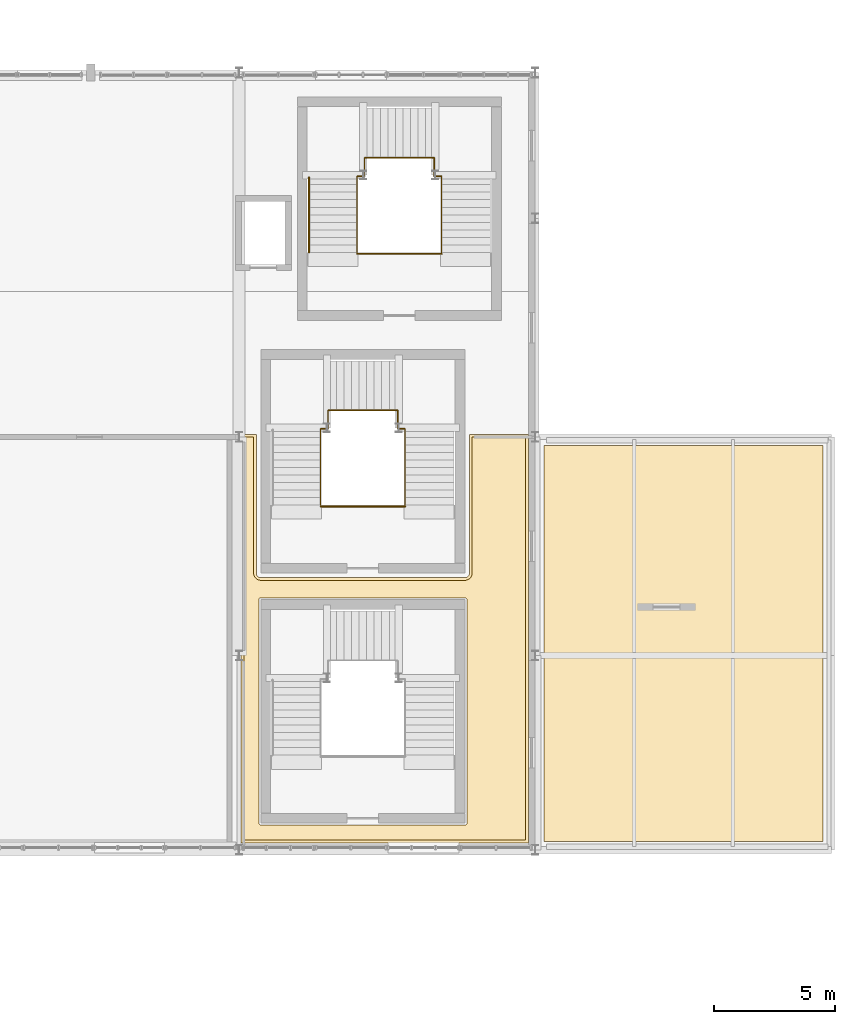
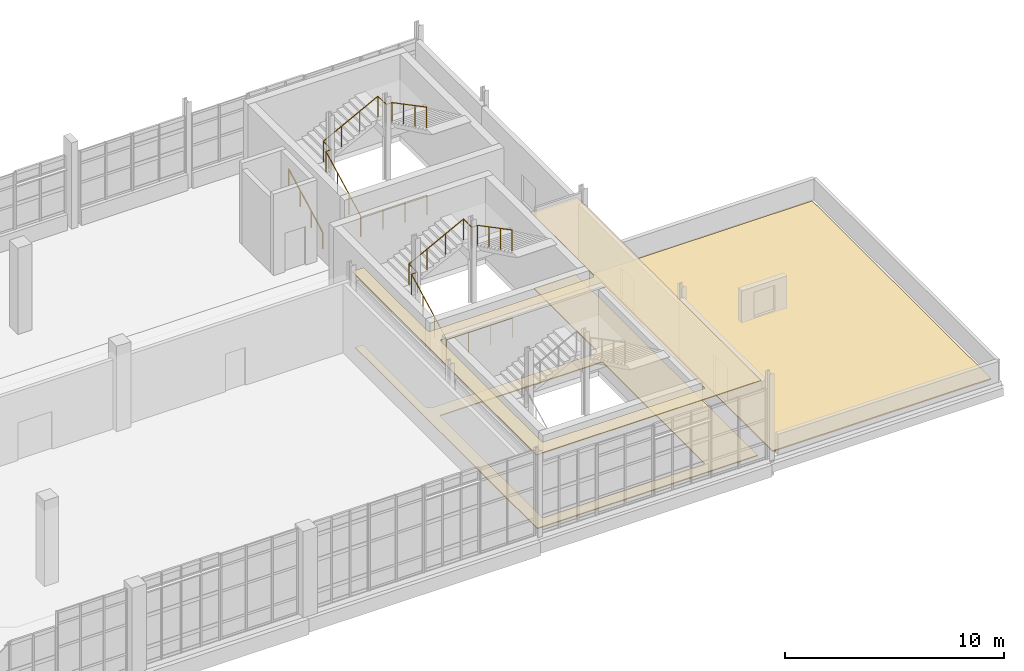
# One storey, part 127 of 127: 5 railings, 3 coverings.
"""IFC4 building model written with IfcOpenShell, lengths in metres."""

from ifc_helpers import new_model, si_unit, derived_unit, direction, frame, origin, origin_2d, place, context, subcontext, project, spatial, polyline, circle, outline, extrude, material, layer, layer_set, type_object, element, save


model = new_model("IFC4")

# Units and contexts
model_context = context("Model", 3, precision=1e-05, world=origin(), true_north=direction((0.0, 1.0)))
body_context = subcontext(model_context, "Body", "Model", "MODEL_VIEW")
ifc_project = project(units=[si_unit("LENGTHUNIT", "METRE"), si_unit("AREAUNIT", "SQUARE_METRE"), si_unit("VOLUMEUNIT", "CUBIC_METRE"), si_unit("PLANEANGLEUNIT", "RADIAN"), si_unit("MASSUNIT", "GRAM", prefix="KILO"), derived_unit("THERMALTRANSMITTANCEUNIT", [(si_unit("POWERUNIT", "WATT"), 1), (si_unit("LENGTHUNIT", "METRE"), -2), (si_unit("THERMODYNAMICTEMPERATUREUNIT", "KELVIN"), -1)])], contexts=[model_context])

# Site, building, storey
site_placement = place(None, origin())
site = spatial("IfcSite", under=ifc_project, at=site_placement, CompositionType="ELEMENT")
building_placement = place(site_placement, origin())
building = spatial("IfcBuilding", under=site, at=building_placement, Name="Nallur Shell Playhouse", CompositionType="ELEMENT")
storey_placement = place(building_placement, frame((0.0, 0.0, 5.39990234375)))
storey = spatial("IfcBuildingStorey", under=building, at=storey_placement, Name="L02", CompositionType="ELEMENT", Elevation=5.39990234375)

# Coverings
ifc_material_1 = material(Name="Micro-Perforated Teak Veneer Acoustic Baffle Ceiling")
ifc_layer_1 = layer(ifc_material_1, 0.044921875)
ifc_layer_set_1 = layer_set([ifc_layer_1], Name="Micro-Perforated Teak Veneer Acoustic Baffle Ceiling")
covering_type_1 = type_object("IfcCoveringType", Name="CV-CEIL-AC1", PredefinedType="CEILING", material=ifc_layer_set_1)
covering_1_placement = place(storey_placement, frame((0.0, 0.0, 4.205078125)))
element("IfcCovering", 1, at=covering_1_placement, inside=storey, type_object=covering_type_1, Name="Theatre Education Seminar Room suspended acoustic ceiling", PredefinedType="CEILING", context=body_context, shape_type="SweptSolid", body=[
    extrude(outline(polyline([(148.314208984375, 35.36083984375), (148.3173828125, 35.347412109375), (148.31884765625, 35.34326171875), (148.323974609375, 35.3291015625), (148.325439453125, 35.324951171875), (148.33154296875, 35.312255859375), (148.33349609375, 35.308349609375), (148.3408203125, 35.29638671875), (148.34326171875, 35.292724609375), (148.351806640625, 35.28125), (148.354736328125, 35.277587890625), (148.3642578125, 35.26708984375), (148.3671875, 35.26416015625), (148.377685546875, 35.2548828125), (148.38134765625, 35.251953125), (148.392822265625, 35.2431640625), (148.396484375, 35.24072265625), (148.408447265625, 35.233642578125), (148.412353515625, 35.231689453125), (148.425048828125, 35.2255859375), (148.428955078125, 35.223876953125), (148.443115234375, 35.218994140625), (148.447509765625, 35.217529296875), (148.460693359375, 35.214111328125), (148.465087890625, 35.21337890625), (148.47900390625, 35.211181640625), (148.4833984375, 35.210693359375), (148.4990234375, 35.2099609375), (148.501220703125, 35.2099609375), (156.89892578125, 35.2099609375), (156.90087890625, 35.2099609375), (156.916748046875, 35.210693359375), (156.921142578125, 35.211181640625), (156.934814453125, 35.21337890625), (156.939208984375, 35.214111328125), (156.95263671875, 35.217529296875), (156.956787109375, 35.218994140625), (156.970947265625, 35.223876953125), (156.97509765625, 35.2255859375), (156.98779296875, 35.231689453125), (156.99169921875, 35.233642578125), (157.00341796875, 35.24072265625), (157.007080078125, 35.2431640625), (157.018798828125, 35.251953125), (157.022216796875, 35.2548828125), (157.03271484375, 35.26416015625), (157.035888671875, 35.26708984375), (157.045166015625, 35.277587890625), (157.048095703125, 35.28125), (157.056884765625, 35.292724609375), (157.05908203125, 35.29638671875), (157.06640625, 35.308349609375), (157.068359375, 35.312255859375), (157.074462890625, 35.324951171875), (157.076171875, 35.3291015625), (157.0810546875, 35.34326171875), (157.08251953125, 35.347412109375), (157.085693359375, 35.36083984375), (157.086669921875, 35.364990234375), (157.088623046875, 35.37890625), (157.089111328125, 35.38330078125), (157.090087890625, 35.39892578125), (157.090087890625, 35.401123046875), (157.090087890625, 41.110107421875), (159.510009765625, 41.110107421875), (159.510009765625, 24.2900390625), (147.68994140625, 24.2900390625), (147.68994140625, 41.110107421875), (148.31005859375, 41.110107421875), (148.31005859375, 35.401123046875), (148.31005859375, 35.39892578125), (148.310791015625, 35.38330078125), (148.311279296875, 35.37890625), (148.313232421875, 35.364990234375), (148.314208984375, 35.36083984375)]), holes=[polyline([(156.91552734375, 25.021484375), (156.923095703125, 25.0234375), (156.9306640625, 25.026123046875), (156.937744140625, 25.029296875), (156.9443359375, 25.033447265625), (156.95068359375, 25.0380859375), (156.95654296875, 25.04345703125), (156.9619140625, 25.04931640625), (156.966552734375, 25.0556640625), (156.970703125, 25.062255859375), (156.973876953125, 25.0693359375), (156.9765625, 25.076904296875), (156.978515625, 25.08447265625), (156.9794921875, 25.09228515625), (156.97998046875, 25.10009765625), (156.97998046875, 34.300048828125), (156.9794921875, 34.307861328125), (156.978515625, 34.315673828125), (156.9765625, 34.3232421875), (156.973876953125, 34.33056640625), (156.970703125, 34.337646484375), (156.966552734375, 34.344482421875), (156.9619140625, 34.350830078125), (156.95654296875, 34.356689453125), (156.95068359375, 34.36181640625), (156.9443359375, 34.366455078125), (156.937744140625, 34.37060546875), (156.9306640625, 34.373779296875), (156.923095703125, 34.376708984375), (156.91552734375, 34.37841796875), (156.90771484375, 34.379638671875), (156.89990234375, 34.3798828125), (148.5, 34.3798828125), (148.4921875, 34.379638671875), (148.484375, 34.37841796875), (148.476806640625, 34.376708984375), (148.469482421875, 34.373779296875), (148.46240234375, 34.37060546875), (148.45556640625, 34.366455078125), (148.44921875, 34.36181640625), (148.443359375, 34.356689453125), (148.438232421875, 34.350830078125), (148.43359375, 34.344482421875), (148.429443359375, 34.337646484375), (148.426025390625, 34.33056640625), (148.42333984375, 34.3232421875), (148.42138671875, 34.315673828125), (148.42041015625, 34.307861328125), (148.419921875, 34.300048828125), (148.419921875, 25.10009765625), (148.42041015625, 25.09228515625), (148.42138671875, 25.08447265625), (148.42333984375, 25.076904296875), (148.426025390625, 25.0693359375), (148.429443359375, 25.062255859375), (148.43359375, 25.0556640625), (148.438232421875, 25.04931640625), (148.443359375, 25.04345703125), (148.44921875, 25.0380859375), (148.45556640625, 25.033447265625), (148.46240234375, 25.029296875), (148.469482421875, 25.026123046875), (148.476806640625, 25.0234375), (148.484375, 25.021484375), (148.4921875, 25.0205078125), (148.5, 25.02001953125), (156.89990234375, 25.02001953125), (156.90771484375, 25.0205078125), (156.91552734375, 25.021484375)])]), origin(), (0.0, 0.0, 1.0), 0.044921875),
])
ifc_material_2 = material(Name="Sprung Semi-Resilient Stage & Dance Hardwood Flooring", Category="wood")
ifc_layer_2 = layer(ifc_material_2, 0.054931640625)
ifc_layer_set_2 = layer_set([ifc_layer_2], Name="Sprung Semi-Resilient Stage & Dance Hardwood Flooring")
covering_type_2 = type_object("IfcCoveringType", Name="CV-FLOR-TIMBER", PredefinedType="FLOORING", material=ifc_layer_set_2)
covering_2_placement = place(storey_placement, origin())
element("IfcCovering", 2, at=covering_2_placement, inside=storey, type_object=covering_type_2, Name="Theatre Education Seminar Room floor finish", PredefinedType="FLOORING", context=body_context, shape_type="SweptSolid", body=[
    extrude(outline(polyline([(148.206787109375, 35.336669921875), (148.211669921875, 35.317626953125), (148.214599609375, 35.308349609375), (148.22119140625, 35.289794921875), (148.224853515625, 35.28076171875), (148.233154296875, 35.262939453125), (148.23779296875, 35.25439453125), (148.247802734375, 35.237548828125), (148.25341796875, 35.229248046875), (148.26513671875, 35.213623046875), (148.271240234375, 35.2060546875), (148.284423828125, 35.19140625), (148.29150390625, 35.1845703125), (148.305908203125, 35.17138671875), (148.313720703125, 35.1650390625), (148.329345703125, 35.1533203125), (148.33740234375, 35.14794921875), (148.354248046875, 35.1376953125), (148.363037109375, 35.13330078125), (148.380615234375, 35.124755859375), (148.389892578125, 35.12109375), (148.408203125, 35.114501953125), (148.41748046875, 35.111572265625), (148.436767578125, 35.106689453125), (148.4462890625, 35.10498046875), (148.4658203125, 35.10205078125), (148.4755859375, 35.10107421875), (148.4951171875, 35.10009765625), (148.5, 35.10009765625), (156.89990234375, 35.10009765625), (156.90478515625, 35.10009765625), (156.924560546875, 35.10107421875), (156.934326171875, 35.10205078125), (156.95361328125, 35.10498046875), (156.96337890625, 35.106689453125), (156.982421875, 35.111572265625), (156.99169921875, 35.114501953125), (157.01025390625, 35.12109375), (157.019287109375, 35.124755859375), (157.037109375, 35.13330078125), (157.045654296875, 35.1376953125), (157.0625, 35.14794921875), (157.07080078125, 35.1533203125), (157.08642578125, 35.1650390625), (157.093994140625, 35.17138671875), (157.108642578125, 35.1845703125), (157.115478515625, 35.19140625), (157.128662109375, 35.2060546875), (157.135009765625, 35.213623046875), (157.146484375, 35.229248046875), (157.152099609375, 35.237548828125), (157.162109375, 35.25439453125), (157.166748046875, 35.262939453125), (157.17529296875, 35.28076171875), (157.178955078125, 35.289794921875), (157.185546875, 35.308349609375), (157.1884765625, 35.317626953125), (157.193115234375, 35.336669921875), (157.195068359375, 35.34619140625), (157.197998046875, 35.36572265625), (157.198974609375, 35.37548828125), (157.199951171875, 35.39501953125), (157.199951171875, 35.39990234375), (157.199951171875, 41.0), (159.39990234375, 41.0), (159.39990234375, 24.39990234375), (147.800048828125, 24.39990234375), (147.800048828125, 41.0), (148.199951171875, 41.0), (148.199951171875, 35.39990234375), (148.2001953125, 35.39501953125), (148.201171875, 35.37548828125), (148.201904296875, 35.36572265625), (148.204833984375, 35.34619140625), (148.206787109375, 35.336669921875)]), holes=[polyline([(156.91552734375, 25.021484375), (156.923095703125, 25.0234375), (156.9306640625, 25.026123046875), (156.937744140625, 25.029296875), (156.9443359375, 25.033447265625), (156.95068359375, 25.0380859375), (156.95654296875, 25.04345703125), (156.9619140625, 25.04931640625), (156.966552734375, 25.0556640625), (156.970703125, 25.062255859375), (156.973876953125, 25.0693359375), (156.9765625, 25.076904296875), (156.978515625, 25.08447265625), (156.9794921875, 25.09228515625), (156.97998046875, 25.10009765625), (156.97998046875, 34.300048828125), (156.9794921875, 34.307861328125), (156.978515625, 34.315673828125), (156.9765625, 34.3232421875), (156.973876953125, 34.33056640625), (156.970703125, 34.337646484375), (156.966552734375, 34.344482421875), (156.9619140625, 34.350830078125), (156.95654296875, 34.356689453125), (156.95068359375, 34.36181640625), (156.9443359375, 34.366455078125), (156.937744140625, 34.37060546875), (156.9306640625, 34.373779296875), (156.923095703125, 34.376708984375), (156.91552734375, 34.37841796875), (156.90771484375, 34.379638671875), (156.89990234375, 34.3798828125), (148.5, 34.3798828125), (148.4921875, 34.379638671875), (148.484375, 34.37841796875), (148.476806640625, 34.376708984375), (148.469482421875, 34.373779296875), (148.46240234375, 34.37060546875), (148.45556640625, 34.366455078125), (148.44921875, 34.36181640625), (148.443359375, 34.356689453125), (148.438232421875, 34.350830078125), (148.43359375, 34.344482421875), (148.429443359375, 34.337646484375), (148.426025390625, 34.33056640625), (148.42333984375, 34.3232421875), (148.42138671875, 34.315673828125), (148.42041015625, 34.307861328125), (148.419921875, 34.300048828125), (148.419921875, 25.10009765625), (148.42041015625, 25.09228515625), (148.42138671875, 25.08447265625), (148.42333984375, 25.076904296875), (148.426025390625, 25.0693359375), (148.429443359375, 25.062255859375), (148.43359375, 25.0556640625), (148.438232421875, 25.04931640625), (148.443359375, 25.04345703125), (148.44921875, 25.0380859375), (148.45556640625, 25.033447265625), (148.46240234375, 25.029296875), (148.469482421875, 25.026123046875), (148.476806640625, 25.0234375), (148.484375, 25.021484375), (148.4921875, 25.0205078125), (148.5, 25.02001953125), (156.89990234375, 25.02001953125), (156.90771484375, 25.0205078125), (156.91552734375, 25.021484375)])]), origin(), (0.0, 0.0, 1.0), 0.05517578125),
])
ifc_material_3 = material(Name="TPO Reflective Waterproofing & Rigid PIR Roof Insulation")
ifc_layer_3 = layer(ifc_material_3, 0.06494140625)
ifc_layer_set_3 = layer_set([ifc_layer_3], Name="TPO Reflective Waterproofing & Rigid PIR Roof Insulation")
covering_type_3 = type_object("IfcCoveringType", Name="CV-ROOF-MEMB1", PredefinedType="ROOFING", material=ifc_layer_set_3)
covering_3_placement = place(storey_placement, origin())
element("IfcCovering", 3, at=covering_3_placement, inside=storey, type_object=covering_type_3, Name="L02 insulated waterproof roof covering 01", PredefinedType="ROOFING", context=body_context, shape_type="SweptSolid", body=[
    extrude(outline(polyline([(160.14990234375, 40.64990234375), (171.64990234375, 40.64990234375), (171.64990234375, 24.35009765625), (160.14990234375, 24.35009765625), (160.14990234375, 40.64990234375)])), origin(), (0.0, 0.0, 1.0), 0.065185546875),
])

# Railings
ifc_material_4 = material(Name="Brushed Stainless Steel 316 Balustrade & Toughened Infill", Category="steel")
railing_type_1 = type_object("IfcRailingType", Name="RL-GUARD-1100", PredefinedType="BALUSTRADE", material=ifc_material_4)
railing_1_placement = place(storey_placement, frame((152.4599609375, 48.60009765625, 0.0)))
element("IfcRailing", 4, at=railing_1_placement, inside=storey, type_object=railing_type_1, Name="Stair ST-05-L02 inner open-well guard", PredefinedType="BALUSTRADE", context=body_context, shape_type="SweptSolid", body=[
    extrude(circle(Radius=0.02392578125, at=origin_2d()), frame((0.0, 0.0, 1.15576171875), z_axis=(0.0, 0.885200240898, 0.465210203579), x_axis=(-1.0, 0.0, 0.0)), (0.0, 0.0, 1.0), 3.547119140625),
    extrude(circle(Radius=0.02392578125, at=origin_2d()), frame((0.0, 3.139892578125, 2.80615234375), z_axis=(1.0, 0.0, 0.0), x_axis=(0.0, 1.0, 0.0)), (0.0, 0.0, 1.0), 0.304931640625),
    extrude(circle(Radius=0.02392578125, at=origin_2d()), frame((0.304931640625, 3.139892578125, 2.80615234375), z_axis=(0.0, 1.0, 0.0), x_axis=(-1.0, 0.0, 0.0)), (0.0, 0.0, 1.0), 0.760009765625),
    extrude(circle(Radius=0.02392578125, at=origin_2d()), frame((0.304931640625, 3.89990234375, 2.80615234375), z_axis=(0.886262018935, 0.0, 0.463184233101), x_axis=(0.0, 1.0, 0.0)), (0.0, 0.0, 1.0), 3.238525390625),
    extrude(circle(Radius=0.02392578125, at=origin_2d()), frame((3.175048828125, 3.89990234375, 4.30615234375), z_axis=(0.0, -1.0, 0.0), x_axis=(1.0, 0.0, 0.0)), (0.0, 0.0, 1.0), 0.760009765625),
    extrude(circle(Radius=0.02392578125, at=origin_2d()), frame((3.175048828125, 3.139892578125, 4.30615234375), z_axis=(1.0, 0.0, 0.0), x_axis=(0.0, 1.0, 0.0)), (0.0, 0.0, 1.0), 0.304931640625),
    extrude(circle(Radius=0.02392578125, at=origin_2d()), frame((3.47998046875, 3.139892578125, 4.30615234375), z_axis=(0.0, -0.885228583928, 0.465156268578), x_axis=(1.0, 0.0, 0.0)), (0.0, 0.0, 1.0), 3.546875),
    extrude(circle(Radius=0.02099609375, at=origin_2d()), origin(), (0.0, 0.0, 1.0), 1.1318359375),
    extrude(circle(Radius=0.02099609375, at=origin_2d()), frame((0.0, 1.046630859375, 0.550048828125)), (0.0, 0.0, 1.0), 1.1318359375),
    extrude(circle(Radius=0.02099609375, at=origin_2d()), frame((0.0, 2.09326171875, 1.10009765625)), (0.0, 0.0, 1.0), 1.1318359375),
    extrude(circle(Radius=0.02099609375, at=origin_2d()), frame((0.0, 3.139892578125, 1.650146484375)), (0.0, 0.0, 1.0), 1.1318359375),
    extrude(circle(Radius=0.02099609375, at=origin_2d()), frame((0.304931640625, 3.139892578125, 1.650146484375)), (0.0, 0.0, 1.0), 1.1318359375),
    extrude(circle(Radius=0.02099609375, at=origin_2d()), frame((0.304931640625, 3.89990234375, 1.650146484375)), (0.0, 0.0, 1.0), 1.1318359375),
    extrude(circle(Radius=0.02099609375, at=origin_2d()), frame((1.26171875, 3.89990234375, 2.150146484375)), (0.0, 0.0, 1.0), 1.1318359375),
    extrude(circle(Radius=0.02099609375, at=origin_2d()), frame((2.21826171875, 3.89990234375, 2.650146484375)), (0.0, 0.0, 1.0), 1.1318359375),
    extrude(circle(Radius=0.02099609375, at=origin_2d()), frame((3.175048828125, 3.89990234375, 3.150146484375)), (0.0, 0.0, 1.0), 1.1318359375),
    extrude(circle(Radius=0.02099609375, at=origin_2d()), frame((3.175048828125, 3.139892578125, 3.150146484375)), (0.0, 0.0, 1.0), 1.1318359375),
    extrude(circle(Radius=0.02099609375, at=origin_2d()), frame((3.47998046875, 3.139892578125, 3.150146484375)), (0.0, 0.0, 1.0), 1.1318359375),
    extrude(circle(Radius=0.02099609375, at=origin_2d()), frame((3.47998046875, 2.09326171875, 3.7001953125)), (0.0, 0.0, 1.0), 1.1318359375),
    extrude(circle(Radius=0.02099609375, at=origin_2d()), frame((3.47998046875, 1.046630859375, 4.25)), (0.0, 0.0, 1.0), 1.1318359375),
    extrude(circle(Radius=0.02099609375, at=origin_2d()), frame((3.47998046875, 0.0, 4.800048828125)), (0.0, 0.0, 1.0), 1.1318359375),
])
railing_2_placement = place(storey_placement, frame((152.4599609375, 48.5400390625, 0.0)))
element("IfcRailing", 5, at=railing_2_placement, inside=storey, type_object=railing_type_1, Name="Stair ST-05-L02 floor-well guard", PredefinedType="BALUSTRADE", context=body_context, shape_type="SweptSolid", body=[
    extrude(circle(Radius=0.02392578125, at=origin_2d()), frame((0.0, 0.0, 1.09619140625), z_axis=(1.0, 0.0, 0.0), x_axis=(0.0, 1.0, 0.0)), (0.0, 0.0, 1.0), 3.47998046875),
    extrude(circle(Radius=0.02099609375, at=origin_2d()), origin(), (0.0, 0.0, 1.0), 1.072021484375),
    extrude(circle(Radius=0.02099609375, at=origin_2d()), frame((1.159912109375, 0.0, 0.0)), (0.0, 0.0, 1.0), 1.072021484375),
    extrude(circle(Radius=0.02099609375, at=origin_2d()), frame((2.320068359375, 0.0, 0.0)), (0.0, 0.0, 1.0), 1.072021484375),
    extrude(circle(Radius=0.02099609375, at=origin_2d()), frame((3.47998046875, 0.0, 0.0)), (0.0, 0.0, 1.0), 1.072021484375),
])
railing_3_placement = place(storey_placement, frame((150.9599609375, 38.199951171875, 0.0)))
element("IfcRailing", 6, at=railing_3_placement, inside=storey, type_object=railing_type_1, Name="Stair ST-09-L02 inner open-well guard", PredefinedType="BALUSTRADE", context=body_context, shape_type="SweptSolid", body=[
    extrude(circle(Radius=0.02392578125, at=origin_2d()), frame((0.0, 0.0, 1.15576171875), z_axis=(0.0, 0.885215135385, 0.465181861302), x_axis=(-1.0, 0.0, 0.0)), (0.0, 0.0, 1.0), 3.54736328125),
    extrude(circle(Radius=0.02392578125, at=origin_2d()), frame((0.0, 3.14013671875, 2.80615234375), z_axis=(1.0, 0.0, 0.0), x_axis=(0.0, 1.0, 0.0)), (0.0, 0.0, 1.0), 0.304931640625),
    extrude(circle(Radius=0.02392578125, at=origin_2d()), frame((0.304931640625, 3.14013671875, 2.80615234375), z_axis=(0.0, 1.0, 0.0), x_axis=(-1.0, 0.0, 0.0)), (0.0, 0.0, 1.0), 0.760009765625),
    extrude(circle(Radius=0.02392578125, at=origin_2d()), frame((0.304931640625, 3.900146484375, 2.80615234375), z_axis=(0.886262018935, 0.0, 0.463184233101), x_axis=(0.0, 1.0, 0.0)), (0.0, 0.0, 1.0), 3.238525390625),
    extrude(circle(Radius=0.02392578125, at=origin_2d()), frame((3.175048828125, 3.900146484375, 4.30615234375), z_axis=(0.0, -1.0, 0.0), x_axis=(1.0, 0.0, 0.0)), (0.0, 0.0, 1.0), 0.760009765625),
    extrude(circle(Radius=0.02392578125, at=origin_2d()), frame((3.175048828125, 3.14013671875, 4.30615234375), z_axis=(1.0, 0.0, 0.0), x_axis=(0.0, 1.0, 0.0)), (0.0, 0.0, 1.0), 0.304931640625),
    extrude(circle(Radius=0.02392578125, at=origin_2d()), frame((3.47998046875, 3.14013671875, 4.30615234375), z_axis=(0.0, -0.885243475438, 0.465127927773), x_axis=(1.0, 0.0, 0.0)), (0.0, 0.0, 1.0), 3.547119140625),
    extrude(circle(Radius=0.02099609375, at=origin_2d()), origin(), (0.0, 0.0, 1.0), 1.1318359375),
    extrude(circle(Radius=0.02099609375, at=origin_2d()), frame((0.0, 1.046630859375, 0.550048828125)), (0.0, 0.0, 1.0), 1.1318359375),
    extrude(circle(Radius=0.02099609375, at=origin_2d()), frame((0.0, 2.093505859375, 1.10009765625)), (0.0, 0.0, 1.0), 1.1318359375),
    extrude(circle(Radius=0.02099609375, at=origin_2d()), frame((0.0, 3.14013671875, 1.650146484375)), (0.0, 0.0, 1.0), 1.1318359375),
    extrude(circle(Radius=0.02099609375, at=origin_2d()), frame((0.304931640625, 3.14013671875, 1.650146484375)), (0.0, 0.0, 1.0), 1.1318359375),
    extrude(circle(Radius=0.02099609375, at=origin_2d()), frame((0.304931640625, 3.900146484375, 1.650146484375)), (0.0, 0.0, 1.0), 1.1318359375),
    extrude(circle(Radius=0.02099609375, at=origin_2d()), frame((1.26171875, 3.900146484375, 2.150146484375)), (0.0, 0.0, 1.0), 1.1318359375),
    extrude(circle(Radius=0.02099609375, at=origin_2d()), frame((2.21826171875, 3.900146484375, 2.650146484375)), (0.0, 0.0, 1.0), 1.1318359375),
    extrude(circle(Radius=0.02099609375, at=origin_2d()), frame((3.175048828125, 3.900146484375, 3.150146484375)), (0.0, 0.0, 1.0), 1.1318359375),
    extrude(circle(Radius=0.02099609375, at=origin_2d()), frame((3.175048828125, 3.14013671875, 3.150146484375)), (0.0, 0.0, 1.0), 1.1318359375),
    extrude(circle(Radius=0.02099609375, at=origin_2d()), frame((3.47998046875, 3.14013671875, 3.150146484375)), (0.0, 0.0, 1.0), 1.1318359375),
    extrude(circle(Radius=0.02099609375, at=origin_2d()), frame((3.47998046875, 2.093505859375, 3.7001953125)), (0.0, 0.0, 1.0), 1.1318359375),
    extrude(circle(Radius=0.02099609375, at=origin_2d()), frame((3.47998046875, 1.046630859375, 4.25)), (0.0, 0.0, 1.0), 1.1318359375),
    extrude(circle(Radius=0.02099609375, at=origin_2d()), frame((3.47998046875, 0.0, 4.800048828125)), (0.0, 0.0, 1.0), 1.1318359375),
])
railing_4_placement = place(storey_placement, frame((150.9599609375, 38.139892578125, 0.0)))
element("IfcRailing", 7, at=railing_4_placement, inside=storey, type_object=railing_type_1, Name="Stair ST-09-L02 floor-well guard", PredefinedType="BALUSTRADE", context=body_context, shape_type="SweptSolid", body=[
    extrude(circle(Radius=0.02392578125, at=origin_2d()), frame((0.0, 0.0, 1.09619140625), z_axis=(1.0, 0.0, 0.0), x_axis=(0.0, 1.0, 0.0)), (0.0, 0.0, 1.0), 3.47998046875),
    extrude(circle(Radius=0.02099609375, at=origin_2d()), origin(), (0.0, 0.0, 1.0), 1.072021484375),
    extrude(circle(Radius=0.02099609375, at=origin_2d()), frame((1.159912109375, 0.0, 0.0)), (0.0, 0.0, 1.0), 1.072021484375),
    extrude(circle(Radius=0.02099609375, at=origin_2d()), frame((2.320068359375, 0.0, 0.0)), (0.0, 0.0, 1.0), 1.072021484375),
    extrude(circle(Radius=0.02099609375, at=origin_2d()), frame((3.47998046875, 0.0, 0.0)), (0.0, 0.0, 1.0), 1.072021484375),
])
ifc_material_5 = material(Name="Stainless Steel 316 Continuous Tubular Handrail", Category="steel")
railing_type_2 = type_object("IfcRailingType", Name="RL-HANDRAIL-900", PredefinedType="HANDRAIL", material=ifc_material_5)
railing_5_placement = place(storey_placement, frame((150.47998046875, 48.60009765625, 0.0)))
element("IfcRailing", 8, at=railing_5_placement, inside=storey, type_object=railing_type_2, Name="Stair ST-05-L02 outer handrail F1", PredefinedType="HANDRAIL", context=body_context, shape_type="SweptSolid", body=[
    extrude(circle(Radius=0.02392578125, at=origin_2d()), frame((0.0, 0.0, 0.89599609375), z_axis=(0.0, 0.882720248289, 0.469898886208), x_axis=(-1.0, 0.0, 0.0)), (0.0, 0.0, 1.0), 3.51171875),
    extrude(circle(Radius=0.02099609375, at=origin_2d()), origin(), (0.0, 0.0, 1.0), 0.871826171875),
    extrude(circle(Radius=0.02099609375, at=origin_2d()), frame((0.0, 1.033203125, 0.550048828125)), (0.0, 0.0, 1.0), 0.871826171875),
    extrude(circle(Radius=0.02099609375, at=origin_2d()), frame((0.0, 2.066650390625, 1.10009765625)), (0.0, 0.0, 1.0), 0.871826171875),
    extrude(circle(Radius=0.02099609375, at=origin_2d()), frame((0.0, 3.099853515625, 1.650146484375)), (0.0, 0.0, 1.0), 0.871826171875),
])

save(model, "model.ifc")
